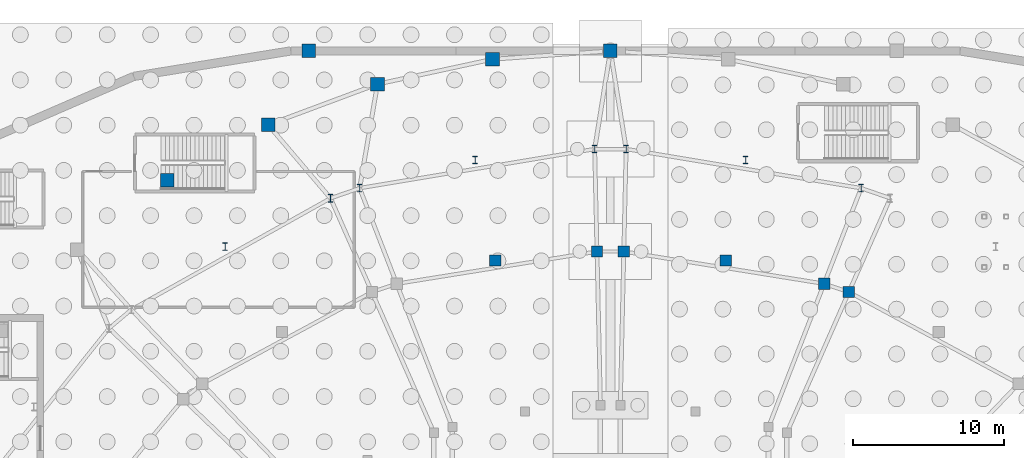
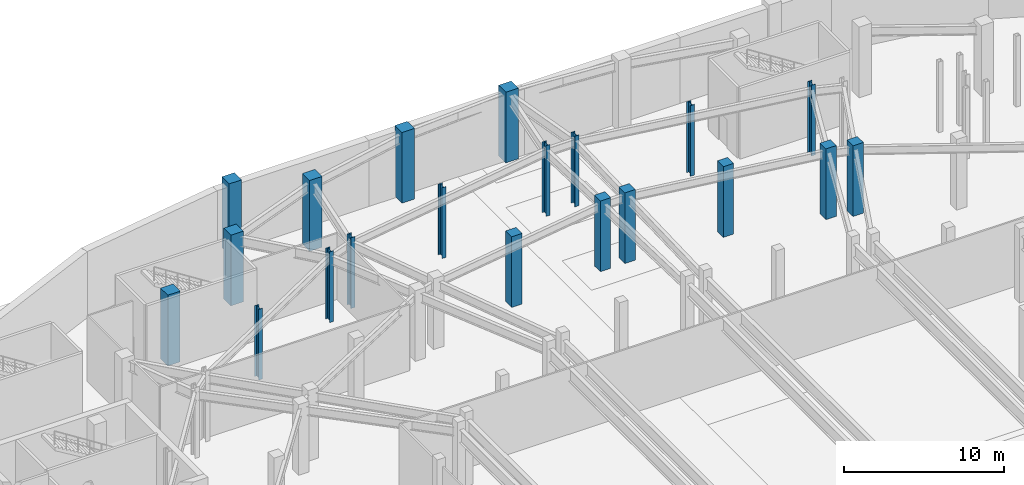
# One storey, part 23 of 56: 20 columns.
"""IFC4 building model written with IfcOpenShell, lengths in metres."""

from ifc_helpers import new_model, si_unit, direction, frame, origin, origin_2d, place, context, subcontext, project, spatial, rectangle, i_section, extrude, material, material_profile, profile_set, type_object, element, save


model = new_model("IFC4")

# Units and contexts
model_context = context("Model", 3, precision=1e-05, world=origin(), true_north=direction((0.0, 1.0)))
body_context = subcontext(model_context, "Body", "Model", "MODEL_VIEW")
ifc_project = project(units=[si_unit("LENGTHUNIT", "METRE"), si_unit("AREAUNIT", "SQUARE_METRE"), si_unit("VOLUMEUNIT", "CUBIC_METRE"), si_unit("PLANEANGLEUNIT", "RADIAN"), si_unit("MASSUNIT", "GRAM", prefix="KILO")], contexts=[model_context])

# Site, building, storey
site_placement = place(None, origin())
site = spatial("IfcSite", under=ifc_project, at=site_placement, CompositionType="ELEMENT")
building_placement = place(site_placement, origin())
building = spatial("IfcBuilding", under=site, at=building_placement, Name="Glasvene Arena", CompositionType="ELEMENT")
storey_placement = place(building_placement, frame((0.0, 0.0, -5.39990234375)))
storey = spatial("IfcBuildingStorey", under=building, at=storey_placement, Name="B1", CompositionType="ELEMENT", Elevation=-5.39990234375)

# Columns
ifc_material_1 = material(Name="Concrete C40/50", Category="concrete")
ifc_material_profile_1 = material_profile(ifc_material_1, rectangle(XDim=0.89990234375, YDim=0.89990234375, at=origin_2d()), Name="RC 900x900")
ifc_profile_set_1 = profile_set([ifc_material_profile_1], Name="Concrete C40/50")
column_type_1 = type_object("IfcColumnType", Name="COL-BOWL-RC900", PredefinedType="COLUMN", material=ifc_profile_set_1)
for number, where, z_axis, x_axis, name in (
    (1, (92.0, 118.0, 0.0), (0.0, 0.0, 1.0), (1.0, 0.0, 0.0), "Bowl ring column R11 B1"),
    (2, (84.17822265625, 117.446044921875, 0.0), (0.0, 0.0, 1.0), (1.0, 0.0, 0.0), "Bowl ring column R12 B1"),
    (3, (76.54931640625, 115.797607421875, 0.0), (0.0, 0.0, 1.0), (1.0, 0.0, 0.0), "Bowl ring column R13 B1"),
    (4, (69.300537109375, 113.09521484375, 0.0), (0.0, 0.0, 1.0), (1.0, 0.0, 0.0), "Bowl ring column R14 B1"),
    (5, (62.610595703125, 109.40576171875, 0.0), (0.0, 0.0, 1.0), (1.0, 0.0, 0.0), "Bowl ring column R15 B1"),
    (6, (72.0, 118.0, 0.0), (0.0, 0.0, 1.0), (1.0, 0.0, 0.0), "Grid column 9-14 B1"),
):
    element("IfcColumn", number, at=place(storey_placement, frame(where, z_axis=z_axis, x_axis=x_axis)), inside=storey, type_object=column_type_1, Name=name, PredefinedType="COLUMN", context=body_context, shape_type="SweptSolid", body=[
        extrude(rectangle(XDim=0.89990234375, YDim=0.89990234375, at=origin_2d()), origin(), (0.0, 0.0, 1.0), 5.39990234375),
    ])
ifc_material_profile_2 = material_profile(ifc_material_1, rectangle(XDim=0.75, YDim=0.75, at=origin_2d()), Name="RC 750x750")
ifc_profile_set_2 = profile_set([ifc_material_profile_2], Name="Concrete C40/50")
column_type_2 = type_object("IfcColumnType", Name="COL-MID-RC750", PredefinedType="COLUMN", material=ifc_profile_set_2)
for number, where, z_axis, x_axis, name in (
    (7, (107.819091796875, 102.004150390625, 0.0), (0.0, 0.0, 1.0), (1.0, 0.0, 0.0), "Mid-bowl fulcrum column B1 03-2"),
    (8, (106.17578125, 102.5546875, 0.0), (0.0, 0.0, 1.0), (1.0, 0.0, 0.0), "Mid-bowl fulcrum column B1 04-1"),
    (9, (92.889404296875, 104.69189453125, 0.0), (0.0, 0.0, 1.0), (1.0, 0.0, 0.0), "Mid-bowl fulcrum column B1 04-2"),
    (10, (91.110595703125, 104.69189453125, 0.0), (0.0, 0.0, 1.0), (1.0, 0.0, 0.0), "Mid-bowl fulcrum column B1 05-1"),
    (11, (99.6474609375, 104.0908203125, 0.0), (0.0, 0.0, 1.0), (1.0, 0.0, 0.0), "Mid-sector fulcrum column B1 04"),
    (12, (84.3525390625, 104.0908203125, 0.0), (0.0, 0.0, 1.0), (1.0, 0.0, 0.0), "Mid-sector fulcrum column B1 05"),
):
    element("IfcColumn", number, at=place(storey_placement, frame(where, z_axis=z_axis, x_axis=x_axis)), inside=storey, type_object=column_type_2, Name=name, PredefinedType="COLUMN", context=body_context, shape_type="SweptSolid", body=[
        extrude(rectangle(XDim=0.75, YDim=0.75, at=origin_2d()), origin(), (0.0, 0.0, 1.0), 5.39990234375),
    ])
ifc_material_2 = material(Name="Steel S355J2", Category="steel")
ifc_material_profile_3 = material_profile(ifc_material_2, i_section(OverallWidth=0.300048828125, OverallDepth=0.5, WebThickness=0.014404296875, FlangeThickness=0.028076171875, FilletRadius=0.027099609375, at=origin_2d()), Name="HEB 500")
ifc_profile_set_3 = profile_set([ifc_material_profile_3], Name="Steel S355J2")
column_type_3 = type_object("IfcColumnType", Name="COL-W-HEB500", PredefinedType="COLUMN", material=ifc_profile_set_3)
for number, where, z_axis, x_axis, name in (
    (13, (108.634765625, 108.89453125, 0.0), (0.0, 0.0, 1.0), (1.0, 0.0, 0.0), "Upper raker rear column B1 04-1"),
    (14, (93.043701171875, 111.489990234375, 0.0), (0.0, 0.0, 1.0), (1.0, 0.0, 0.0), "Upper raker rear column B1 04-2"),
    (15, (90.956298828125, 111.489990234375, 0.0), (0.0, 0.0, 1.0), (1.0, 0.0, 0.0), "Upper raker rear column B1 05-1"),
    (16, (75.365234375, 108.89453125, 0.0), (0.0, 0.0, 1.0), (1.0, 0.0, 0.0), "Upper raker rear column B1 05-2"),
    (17, (73.43701171875, 108.225830078125, 0.0), (0.0, 0.0, 1.0), (1.0, 0.0, 0.0), "Upper raker rear column B1 06-1"),
    (18, (100.97412109375, 110.76025390625, 0.0), (0.0, 0.0, 1.0), (1.0, 0.0, 0.0), "Mid-sector rear raker column B1 04"),
    (19, (83.02587890625, 110.76025390625, 0.0), (0.0, 0.0, 1.0), (1.0, 0.0, 0.0), "Mid-sector rear raker column B1 05"),
    (20, (66.44384765625, 105.01171875, 0.0), (0.0, 0.0, 1.0), (1.0, 0.0, 0.0), "Mid-sector rear raker column B1 06"),
):
    element("IfcColumn", number, at=place(storey_placement, frame(where, z_axis=z_axis, x_axis=x_axis)), inside=storey, type_object=column_type_3, Name=name, PredefinedType="COLUMN", context=body_context, shape_type="SweptSolid", body=[
        extrude(i_section(OverallWidth=0.300048828125, OverallDepth=0.5, WebThickness=0.014404296875, FlangeThickness=0.028076171875, FilletRadius=0.027099609375, at=origin_2d()), origin(), (0.0, 0.0, 1.0), 5.39990234375),
    ])

save(model, "model.ifc")
